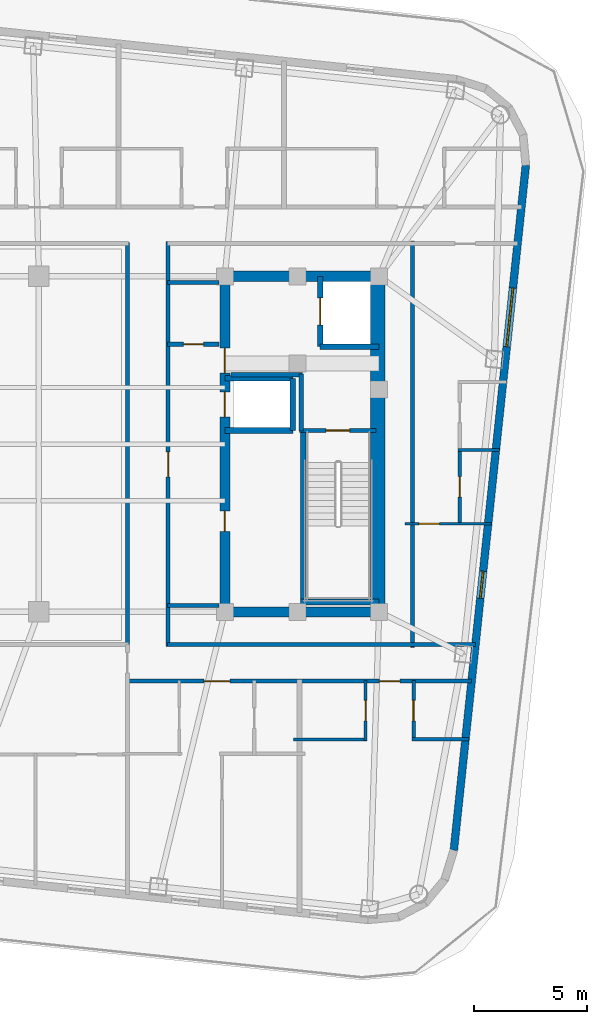
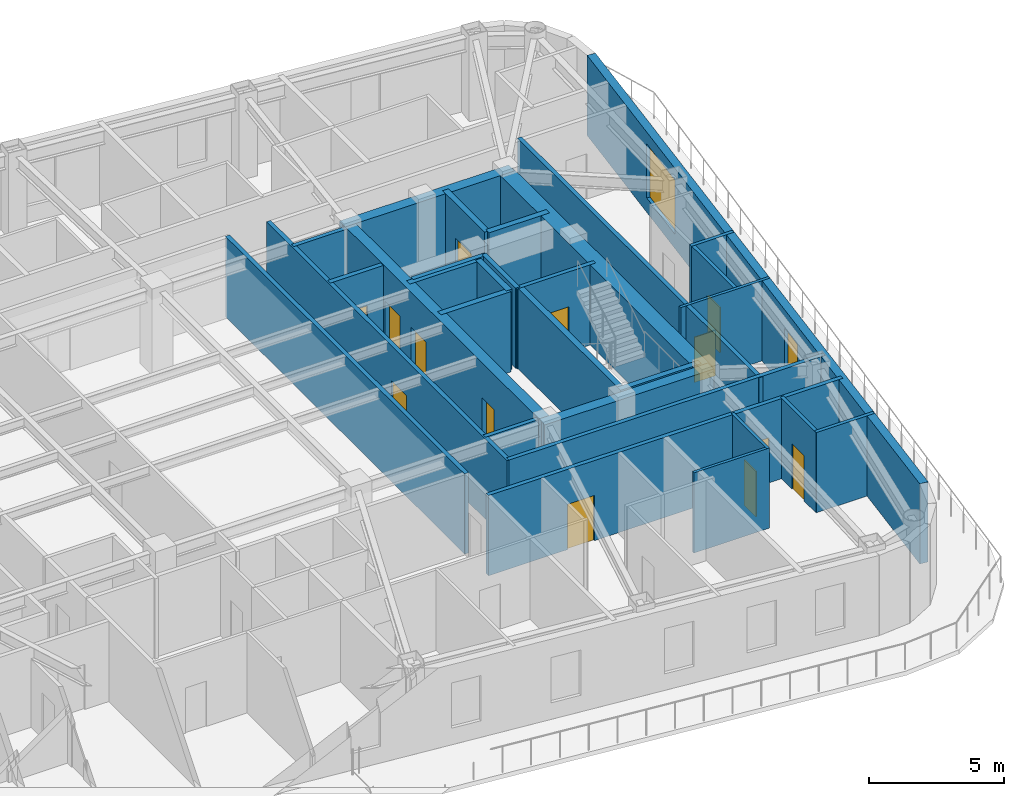
# One storey, part 6 of 14: 30 walls, 13 doors, 2 windows, 15 openings.
"""IFC4 building model written with IfcOpenShell, lengths in metres."""

import ifcopenshell
import ifcopenshell.guid

model = None  # the IFC model being written
_history = None  # IfcOwnerHistory: only IFC2X3 demands one
_inside = {}  # id of a spatial element -> (the spatial element, [elements in it])
_under = {}  # id of a project, library or spatial element -> (it, [spatial elements below it])
_declared = {}  # id of a project -> (the project, [libraries it declares])
_typed = {}  # id of a type object -> (the type object, [elements of that type])
_made_of = {}  # id of a material, layer set ... -> (it, [elements and type objects made of it])


def new_model(schema):
    """Start an empty IFC model of exactly this schema.

    Asked for "IFC4X3", IfcOpenShell would pick the latest addendum, in which some entities
    have other attributes; the version numbers below select the first issue.
    IFC2X3 requires an IfcOwnerHistory on every rooted entity: one is made here for all.
    """
    global model, _history
    if schema == "IFC4X3":
        model = ifcopenshell.file(schema_version=(4, 3, 0, 0))
    else:
        model = ifcopenshell.file(schema=schema)
    _inside.clear()
    _under.clear()
    _declared.clear()
    _typed.clear()
    _made_of.clear()
    _history = None
    if model.schema == "IFC2X3":
        org = make("IfcOrganization", Name="unknown")
        user = make(
            "IfcPersonAndOrganization",
            ThePerson=make("IfcPerson", FamilyName="unknown"),
            TheOrganization=org,
        )
        app = make(
            "IfcApplication",
            ApplicationDeveloper=org,
            Version="unknown",
            ApplicationFullName="unknown",
            ApplicationIdentifier="unknown",
        )
        _history = make(
            "IfcOwnerHistory",
            OwningUser=user,
            OwningApplication=app,
            ChangeAction="ADDED",
            CreationDate=0,
        )
    return model


def make(cls, **values):
    """One entity of the class cls with the attributes given. An attribute that is None is left unset."""
    return model.create_entity(
        cls, **{name: value for name, value in values.items() if value is not None}
    )


def rooted(cls, **values):
    """An entity with a GlobalId (a new one), such as an element, a storey or a relation."""
    return make(cls, GlobalId=ifcopenshell.guid.new(), OwnerHistory=_history, **values)


def si_unit(unit_type, name, prefix=None):
    """IfcSIUnit, for example si_unit("LENGTHUNIT", "METRE", prefix="MILLI")."""
    return make("IfcSIUnit", UnitType=unit_type, Prefix=prefix, Name=name)


def assignment(units):
    """IfcUnitAssignment: the units of a project."""
    return None if units is None else make("IfcUnitAssignment", Units=units)


def point(xyz):
    """IfcCartesianPoint."""
    return None if xyz is None else make("IfcCartesianPoint", Coordinates=xyz)


def direction(xyz):
    """IfcDirection."""
    return None if xyz is None else make("IfcDirection", DirectionRatios=xyz)


def frame(location, z_axis=None, x_axis=None):
    """IfcAxis2Placement3D, a coordinate frame: its origin and axes. An axis left out is left unset."""
    return make(
        "IfcAxis2Placement3D",
        Location=point(location),
        Axis=direction(z_axis),
        RefDirection=direction(x_axis),
    )


def frame_2d(location, x_axis=None):
    """IfcAxis2Placement2D, a coordinate frame in the plane: its origin and x axis."""
    return make(
        "IfcAxis2Placement2D", Location=point(location), RefDirection=direction(x_axis)
    )


def origin():
    """The frame at (0, 0, 0) with its axes left unset."""
    return frame((0.0, 0.0, 0.0))


def place(relative_to, where):
    """IfcLocalPlacement: puts the frame where relative to a parent placement (None: the world)."""
    return make(
        "IfcLocalPlacement", PlacementRelTo=relative_to, RelativePlacement=where
    )


def context(
    kind, dimensions, precision=None, world=None, true_north=None, identifier=None
):
    """IfcGeometricRepresentationContext, for example the 3D "Model" context."""
    return make(
        "IfcGeometricRepresentationContext",
        ContextIdentifier=identifier,
        ContextType=kind,
        CoordinateSpaceDimension=dimensions,
        Precision=precision,
        WorldCoordinateSystem=world,
        TrueNorth=true_north,
    )


def subcontext(parent, identifier, kind, view, scale=None):
    """IfcGeometricRepresentationSubContext, for example "Body" below "Model"."""
    return make(
        "IfcGeometricRepresentationSubContext",
        ContextIdentifier=identifier,
        ContextType=kind,
        ParentContext=parent,
        TargetScale=scale,
        TargetView=view,
    )


def project(units=None, contexts=None):
    """IfcProject with its units and contexts."""
    return rooted(
        "IfcProject",
        Name="project",
        RepresentationContexts=contexts,
        UnitsInContext=assignment(units),
    )


def spatial(cls, under=None, at=None, **own):
    """A site, building, storey or space (cls), placed at a placement, below another one or the project."""
    s = rooted(cls, ObjectPlacement=at, **own)
    if under is not None:
        _under.setdefault(under.id(), (under, []))[1].append(s)
    return s


def profile(cls, at=None, kind="AREA", **sizes):
    """A parametric profile (cls). Its sizes go by their IFC names, for example OverallWidth=200.0."""
    return make(cls, ProfileType=kind, Position=at, **sizes)


def rectangle(**sizes):
    """IfcRectangleProfileDef."""
    return profile("IfcRectangleProfileDef", **sizes)


def extrude(swept, where, along, depth):
    """IfcExtrudedAreaSolid: the profile swept, set in the frame where, extruded along a direction by depth."""
    return make(
        "IfcExtrudedAreaSolid",
        SweptArea=swept,
        Position=where,
        ExtrudedDirection=direction(along),
        Depth=depth,
    )


def shape(context_of_items, identifier, shape_type, items):
    """IfcShapeRepresentation: the items that make up one representation, for example the "Body"."""
    return make(
        "IfcShapeRepresentation",
        ContextOfItems=context_of_items,
        RepresentationIdentifier=identifier,
        RepresentationType=shape_type,
        Items=items,
    )


def material(Name=None, Category=None):
    """IfcMaterial."""
    return make("IfcMaterial", Name=Name, Category=Category)


def layer(
    of_material, thickness, ventilated=None, Name=None, Category=None, Priority=None
):
    """IfcMaterialLayer: one layer of a wall or slab, of a material (None: an air gap)."""
    return make(
        "IfcMaterialLayer",
        Material=of_material,
        LayerThickness=thickness,
        IsVentilated=ventilated,
        Name=Name,
        Category=Category,
        Priority=Priority,
    )


def layer_set(layers, Name=None):
    """IfcMaterialLayerSet."""
    return make("IfcMaterialLayerSet", MaterialLayers=layers, LayerSetName=Name)


def made_of(thing, what):
    """Note that an element or type object is made of a material, layer set ...; save() writes the relation."""
    if what is not None:
        _made_of.setdefault(what.id(), (what, []))[1].append(thing)
    return thing


def type_object(cls, material=None, **own):
    """A type object (cls), such as IfcWallType, which elements share."""
    return made_of(rooted(cls, **own), material)


def element(
    cls,
    number,
    at=None,
    inside=None,
    cuts=None,
    type_object=None,
    material=None,
    context=None,
    identifier="Body",
    shape_type=None,
    held_by="IfcProductDefinitionShape",
    body=None,
    shapes=None,
    **own,
):
    """One element of the class cls, such as IfcWall. Its Tag is "e" and its number.

    at: its placement. inside: the storey or other place that contains it. cuts: it is an
    opening in that element (IfcRelVoidsElement). A single representation is given by context,
    identifier, shape_type and body (its items); several are given by shapes. held_by: the class
    of the entity that holds the representations. save() writes the other relations.
    """
    e = rooted(cls, Tag="e%d" % number, ObjectPlacement=at, **own)
    if body is not None:
        shapes = [shape(context, identifier, shape_type, body)]
    if shapes is not None:
        e.Representation = make(held_by, Representations=shapes)
    if inside is not None:
        _inside.setdefault(inside.id(), (inside, []))[1].append(e)
    if cuts is not None:
        rooted(
            "IfcRelVoidsElement", RelatingBuildingElement=cuts, RelatedOpeningElement=e
        )
    if type_object is not None:
        _typed.setdefault(type_object.id(), (type_object, []))[1].append(e)
    return made_of(e, material)


def fill(opening, filler):
    """IfcRelFillsElement: the door or window that sits in an opening."""
    return rooted(
        "IfcRelFillsElement",
        RelatingOpeningElement=opening,
        RelatedBuildingElement=filler,
    )


def aggregate(whole, parts):
    """IfcRelAggregates: a whole, such as a stair, and the parts it consists of."""
    return rooted("IfcRelAggregates", RelatingObject=whole, RelatedObjects=parts)


def save(model, path):
    """Write the relations noted so far, then the file.

    IfcRelAggregates (storeys below a building ...), IfcRelContainedInSpatialStructure (elements
    in a storey), IfcRelDefinesByType, IfcRelAssociatesMaterial and IfcRelDeclares: one each for
    every whole, place, type object, material and project.
    """
    for whole, parts in _under.values():
        aggregate(whole, parts)
    for where, things in _inside.values():
        rooted(
            "IfcRelContainedInSpatialStructure",
            RelatedElements=things,
            RelatingStructure=where,
        )
    for kind, things in _typed.values():
        rooted("IfcRelDefinesByType", RelatedObjects=things, RelatingType=kind)
    for what, things in _made_of.values():
        rooted("IfcRelAssociatesMaterial", RelatedObjects=things, RelatingMaterial=what)
    for by, libraries in _declared.values():
        rooted("IfcRelDeclares", RelatingContext=by, RelatedDefinitions=libraries)
    model.write(path)


model = new_model("IFC4")

# Units and contexts
model_context = context("Model", 3, precision=1e-05, world=origin(), true_north=direction((0.0, 1.0)))
body_context = subcontext(model_context, "Body", "Model", "MODEL_VIEW")
ifc_project = project(units=[si_unit("LENGTHUNIT", "METRE"), si_unit("AREAUNIT", "SQUARE_METRE"), si_unit("VOLUMEUNIT", "CUBIC_METRE"), si_unit("PLANEANGLEUNIT", "RADIAN"), si_unit("MASSUNIT", "GRAM", prefix="KILO")], contexts=[model_context])

# Site, building, storey
site_placement = place(None, origin())
site = spatial("IfcSite", under=ifc_project, at=site_placement, CompositionType="ELEMENT")
building_placement = place(site_placement, origin())
building = spatial("IfcBuilding", under=site, at=building_placement, Name="Voryun Gate Residences", CompositionType="ELEMENT")
storey_placement = place(building_placement, frame((0.0, 0.0, 291.199951171875)))
storey = spatial("IfcBuildingStorey", under=building, at=storey_placement, Name="L72", CompositionType="ELEMENT", Elevation=291.199951171875)

# Walls
ifc_material_1 = material(Name="Concrete C50/60", Category="concrete")
ifc_layer_1 = layer(ifc_material_1, 0.449951171875, Name="CW_CORE_450")
ifc_layer_set_1 = layer_set([ifc_layer_1], Name="Concrete C50/60")
wall_type_1 = type_object("IfcWallType", Name="CW_CORE_450", PredefinedType="SHEAR", material=ifc_layer_set_1)
for number, where, z_axis, x_axis, name in (
    (1, (12.175048828125, -7.39990234375, 0.0), (0.0, 0.0, 1.0), (1.0, 0.0, 0.0), "L72 Core shear wall CW-L72-ES"),
    (2, (12.175048828125, 7.39990234375, 0.0), (0.0, 0.0, 1.0), (1.0, 0.0, 0.0), "L72 Core shear wall CW-L72-EN"),
):
    element("IfcWall", number, at=place(storey_placement, frame(where, z_axis=z_axis, x_axis=x_axis)), inside=storey, type_object=wall_type_1, Name=name, PredefinedType="SHEAR", context=body_context, shape_type="SweptSolid", body=[
        extrude(rectangle(XDim=7.25, YDim=0.449951171875, at=frame_2d((3.625, 0.0))), origin(), (0.0, 0.0, 1.0), 3.635009765625),
    ])

# Wall, openings, doors
wall_1_placement = place(storey_placement, frame((12.39990234375, -7.39990234375, 0.0), z_axis=(0.0, 0.0, 1.0), x_axis=(0.0, 1.0, 0.0)))
wall_1 = element("IfcWall", 3, at=wall_1_placement, inside=storey, type_object=wall_type_1, Name="L72 Core shear wall CW-L72-EW", PredefinedType="SHEAR", context=body_context, shape_type="SweptSolid", body=[
    extrude(rectangle(XDim=14.7998046875, YDim=0.449951171875, at=frame_2d((7.39990234375, 0.0))), origin(), (0.0, 0.0, 1.0), 3.635009765625),
])
opening_1_placement = place(wall_1_placement, frame((8.60009765625, 0.0, 0.0)))
opening_1 = element("IfcOpeningElement", 4, at=opening_1_placement, cuts=wall_1, Name="Opening LD2", PredefinedType="OPENING", context=body_context, shape_type="SweptSolid", body=[
    extrude(rectangle(XDim=1.10009765625, YDim=2.050048828125, at=frame_2d((0.550048828125, 1.02490234375))), frame((0.0, 0.235107421875, 0.0), z_axis=(0.0, -1.0, 0.0), x_axis=(1.0, 0.0, 0.0)), (0.0, 0.0, 1.0), 0.469970703125),
])
opening_2_placement = place(wall_1_placement, frame((10.530029296875, 0.0, 0.0)))
opening_2 = element("IfcOpeningElement", 5, at=opening_2_placement, cuts=wall_1, Name="Opening D-FD60-2", PredefinedType="OPENING", context=body_context, shape_type="SweptSolid", body=[
    extrude(rectangle(XDim=1.10009765625, YDim=2.050048828125, at=frame_2d((0.550048828125, 1.02490234375))), frame((0.0, 0.235107421875, 0.0), z_axis=(0.0, -1.0, 0.0), x_axis=(1.0, 0.0, 0.0)), (0.0, 0.0, 1.0), 0.469970703125),
])
opening_3_placement = place(wall_1_placement, frame((3.550048828125, 0.0, 0.0)))
opening_3 = element("IfcOpeningElement", 6, at=opening_3_placement, cuts=wall_1, Name="Opening D-FD60-4", PredefinedType="OPENING", context=body_context, shape_type="SweptSolid", body=[
    extrude(rectangle(XDim=0.89990234375, YDim=2.050048828125, at=frame_2d((0.449951171875, 1.02490234375))), frame((0.0, 0.235107421875, 0.0), z_axis=(0.0, -1.0, 0.0), x_axis=(1.0, 0.0, 0.0)), (0.0, 0.0, 1.0), 0.469970703125),
])
ifc_material_2 = material(Name="Painted steel fire door", Category="steel")
door_type_1 = type_object("IfcDoorType", Name="DR_FD60_FFLOB_1100", OperationType="NOTDEFINED", PredefinedType="DOOR", material=ifc_material_2)
door_1_placement = place(opening_2_placement, origin())
door_1 = element("IfcDoor", 7, at=door_1_placement, inside=storey, type_object=door_type_1, Name="Door DR-L72-CLOB-E", OperationType="SINGLE_SWING_RIGHT", OverallHeight=2.050048828125, OverallWidth=1.10009765625, PredefinedType="DOOR", context=body_context, shape_type="SweptSolid", body=[
    extrude(rectangle(XDim=1.10009765625, YDim=2.050048828125, at=frame_2d((0.550048828125, 1.02490234375))), frame((0.0, 0.02490234375, 0.0), z_axis=(0.0, -1.0, 0.0), x_axis=(1.0, 0.0, 0.0)), (0.0, 0.0, 1.0), 0.050048828125),
])
fill(opening_2, door_1)
ifc_material_3 = material(Name="Painted steel fire door", Category="steel")
door_type_2 = type_object("IfcDoorType", Name="DR_FD60_RISER_900", OperationType="NOTDEFINED", PredefinedType="DOOR", material=ifc_material_3)
door_2_placement = place(opening_3_placement, origin())
door_2 = element("IfcDoor", 8, at=door_2_placement, inside=storey, type_object=door_type_2, Name="Door DR-L72-RECE-HI", OperationType="SINGLE_SWING_RIGHT", OverallHeight=2.050048828125, OverallWidth=0.89990234375, PredefinedType="DOOR", context=body_context, shape_type="SweptSolid", body=[
    extrude(rectangle(XDim=0.89990234375, YDim=2.050048828125, at=frame_2d((0.449951171875, 1.02490234375))), frame((0.0, 0.02490234375, 0.0), z_axis=(0.0, -1.0, 0.0), x_axis=(1.0, 0.0, 0.0)), (0.0, 0.0, 1.0), 0.050048828125),
])
fill(opening_3, door_2)
ifc_material_4 = material(Name="Anodised aluminium", Category="aluminium")
door_type_3 = type_object("IfcDoorType", Name="DR_LD_PASS_1100", OperationType="NOTDEFINED", PredefinedType="DOOR", material=ifc_material_4)
door_3_placement = place(opening_1_placement, origin())
door_3 = element("IfcDoor", 9, at=door_3_placement, inside=storey, type_object=door_type_3, Name="Lift EL-P8 sliding landing door L72", OperationType="SLIDING_TO_LEFT", OverallHeight=2.050048828125, OverallWidth=1.10009765625, PredefinedType="DOOR", context=body_context, shape_type="SweptSolid", body=[
    extrude(rectangle(XDim=1.10009765625, YDim=2.050048828125, at=frame_2d((0.550048828125, 1.02490234375))), frame((0.0, 0.02490234375, 0.0), z_axis=(0.0, -1.0, 0.0), x_axis=(1.0, 0.0, 0.0)), (0.0, 0.0, 1.0), 0.050048828125),
])
fill(opening_1, door_3)

# Wall
ifc_material_5 = material(Name="Concrete C60/75", Category="concrete")
ifc_layer_2 = layer(ifc_material_5, 0.64990234375, Name="CW_CORE_650")
ifc_layer_set_2 = layer_set([ifc_layer_2], Name="Concrete C60/75")
wall_type_2 = type_object("IfcWallType", Name="CW_CORE_650", PredefinedType="SHEAR", material=ifc_layer_set_2)
wall_2_placement = place(storey_placement, frame((19.14501953125, -7.39990234375, 0.0), z_axis=(0.0, 0.0, 1.0), x_axis=(0.0, 1.0, 0.0)))
element("IfcWall", 10, at=wall_2_placement, inside=storey, type_object=wall_type_2, Name="L72 Core shear wall CW-L72-EE", PredefinedType="SHEAR", context=body_context, shape_type="SweptSolid", body=[
    extrude(rectangle(XDim=14.7998046875, YDim=0.64990234375, at=frame_2d((7.39990234375, 0.0))), origin(), (0.0, 0.0, 1.0), 3.635009765625),
])

# Wall, opening, door
ifc_material_6 = material(Name="Gypsum acoustic fireboard")
ifc_layer_3 = layer(ifc_material_6, 0.179931640625, Name="W_CORR_RATED_180")
ifc_layer_set_3 = layer_set([ifc_layer_3], Name="Gypsum acoustic fireboard")
wall_type_3 = type_object("IfcWallType", Name="W_CORR_RATED_180", PredefinedType="PARTITIONING", material=ifc_layer_set_3)
wall_3_placement = place(storey_placement, frame((15.699951171875, 0.60009765625, 0.0), z_axis=(0.0, 0.0, 1.0), x_axis=(1.0, 0.0, 0.0)))
wall_3 = element("IfcWall", 11, at=wall_3_placement, inside=storey, type_object=wall_type_3, Name="Partition wall WP-L72-STV-E", PredefinedType="PARTITIONING", context=body_context, shape_type="SweptSolid", body=[
    extrude(rectangle(XDim=3.360107421875, YDim=0.179931640625, at=frame_2d((1.68017578125, 0.0))), origin(), (0.0, 0.0, 1.0), 3.635009765625),
])
opening_4_placement = place(wall_3_placement, frame((1.155029296875, 0.0, 0.0)))
opening_4 = element("IfcOpeningElement", 12, at=opening_4_placement, cuts=wall_3, Name="Opening D-FD60-1", PredefinedType="OPENING", context=body_context, shape_type="SweptSolid", body=[
    extrude(rectangle(XDim=1.050048828125, YDim=2.050048828125, at=frame_2d((0.52490234375, 1.02490234375))), frame((0.0, 0.099853515625, 0.0), z_axis=(0.0, -1.0, 0.0), x_axis=(1.0, 0.0, 0.0)), (0.0, 0.0, 1.0), 0.199951171875),
])
ifc_material_7 = material(Name="Painted steel fire door", Category="steel")
door_type_4 = type_object("IfcDoorType", Name="DR_FD60_STAIR_1050", OperationType="NOTDEFINED", PredefinedType="DOOR", material=ifc_material_7)
door_4_placement = place(opening_4_placement, origin())
door_4 = element("IfcDoor", 13, at=door_4_placement, inside=storey, type_object=door_type_4, Name="Door DR-L72-ST-E", OperationType="SINGLE_SWING_RIGHT", OverallHeight=2.050048828125, OverallWidth=1.050048828125, PredefinedType="DOOR", context=body_context, shape_type="SweptSolid", body=[
    extrude(rectangle(XDim=1.050048828125, YDim=2.050048828125, at=frame_2d((0.52490234375, 1.02490234375))), frame((0.0, 0.02490234375, 0.0), z_axis=(0.0, -1.0, 0.0), x_axis=(1.0, 0.0, 0.0)), (0.0, 0.0, 1.0), 0.050048828125),
])
fill(opening_4, door_4)

# Walls
for number, where, z_axis, x_axis, name in (
    (14, (9.8798828125, 7.1201171875, 0.0), (0.0, 0.0, 1.0), (1.0, 0.0, 0.0), "Partition wall WP-L72-PLBN-E"),
    (15, (9.8798828125, -7.1201171875, 0.0), (0.0, 0.0, 1.0), (1.0, 0.0, 0.0), "Partition wall WP-L72-PLBS-E"),
):
    element("IfcWall", number, at=place(storey_placement, frame(where, z_axis=z_axis, x_axis=x_axis)), inside=storey, type_object=wall_type_3, Name=name, PredefinedType="PARTITIONING", context=body_context, shape_type="SweptSolid", body=[
        extrude(rectangle(XDim=2.27001953125, YDim=0.179931640625, at=frame_2d((1.135009765625, 0.0))), origin(), (0.0, 0.0, 1.0), 3.635009765625),
    ])

# Wall, opening, door
wall_4_placement = place(storey_placement, frame((9.89990234375, -8.929931640625, 0.0), z_axis=(0.0, 0.0, 1.0), x_axis=(0.0, 1.0, 0.0)))
wall_4 = element("IfcWall", 16, at=wall_4_placement, inside=storey, type_object=wall_type_3, Name="Partition wall WP-L72-PLBE-FULL", PredefinedType="PARTITIONING", context=body_context, shape_type="SweptSolid", body=[
    extrude(rectangle(XDim=17.85986328125, YDim=0.179931640625, at=frame_2d((8.929931640625, 0.0))), origin(), (0.0, 0.0, 1.0), 3.635009765625),
])
opening_5_placement = place(wall_4_placement, frame((7.487060546875, 0.0, 0.0)))
opening_5 = element("IfcOpeningElement", 17, at=opening_5_placement, cuts=wall_4, Name="Opening D-FD60-2", PredefinedType="OPENING", context=body_context, shape_type="SweptSolid", body=[
    extrude(rectangle(XDim=1.10009765625, YDim=2.050048828125, at=frame_2d((0.550048828125, 1.02490234375))), frame((0.0, 0.099853515625, 0.0), z_axis=(0.0, -1.0, 0.0), x_axis=(1.0, 0.0, 0.0)), (0.0, 0.0, 1.0), 0.199951171875),
])
door_5_placement = place(opening_5_placement, origin())
door_5 = element("IfcDoor", 18, at=door_5_placement, inside=storey, type_object=door_type_1, Name="Door DR-L72-PLBE-COR", OperationType="SINGLE_SWING_RIGHT", OverallHeight=2.050048828125, OverallWidth=1.10009765625, PredefinedType="DOOR", context=body_context, shape_type="SweptSolid", body=[
    extrude(rectangle(XDim=1.10009765625, YDim=2.050048828125, at=frame_2d((0.550048828125, 1.02490234375))), frame((0.0, 0.02490234375, 0.0), z_axis=(0.0, -1.0, 0.0), x_axis=(1.0, 0.0, 0.0)), (0.0, 0.0, 1.0), 0.050048828125),
])
fill(opening_5, door_5)

# Walls
wall_5_placement = place(storey_placement, frame((9.8798828125, -8.840087890625, 0.0), z_axis=(0.0, 0.0, 1.0), x_axis=(1.0, 0.0, 0.0)))
element("IfcWall", 19, at=wall_5_placement, inside=storey, type_object=wall_type_3, Name="Partition wall WP-L72-CWING-ES", PredefinedType="PARTITIONING", context=body_context, shape_type="SweptSolid", body=[
    extrude(rectangle(XDim=13.56884765625, YDim=0.179931640625, at=frame_2d((6.784423828125, 0.0))), origin(), (0.0, 0.0, 1.0), 3.635009765625),
])
wall_6_placement = place(storey_placement, frame((8.10009765625, -8.8798828125, 0.0), z_axis=(0.0, 0.0, 1.0), x_axis=(0.0, 1.0, 0.0)))
element("IfcWall", 20, at=wall_6_placement, inside=storey, type_object=wall_type_3, Name="Partition wall WP-L72-Z3E", PredefinedType="PARTITIONING", context=body_context, shape_type="SweptSolid", body=[
    extrude(rectangle(XDim=17.759765625, YDim=0.179931640625, at=frame_2d((8.8798828125, 0.0))), origin(), (0.0, 0.0, 1.0), 3.635009765625),
])

# Wall, openings, doors
wall_7_placement = place(storey_placement, frame((8.080078125, -10.449951171875, 0.0), z_axis=(0.0, 0.0, 1.0), x_axis=(1.0, 0.0, 0.0)))
wall_7 = element("IfcWall", 21, at=wall_7_placement, inside=storey, type_object=wall_type_3, Name="Partition wall WP-L72-SCORR-E", PredefinedType="PARTITIONING", context=body_context, shape_type="SweptSolid", body=[
    extrude(rectangle(XDim=15.19921875, YDim=0.179931640625, at=frame_2d((7.599609375, 0.0))), origin(), (0.0, 0.0, 1.0), 3.635009765625),
])
opening_6_placement = place(wall_7_placement, frame((3.390380859375, 0.0, 0.0)))
opening_6 = element("IfcOpeningElement", 22, at=opening_6_placement, cuts=wall_7, Name="Opening D-UNIT-1", PredefinedType="OPENING", context=body_context, shape_type="SweptSolid", body=[
    extrude(rectangle(XDim=1.14990234375, YDim=2.050048828125, at=frame_2d((0.574951171875, 1.02490234375))), frame((0.0, 0.099853515625, 0.0), z_axis=(0.0, -1.0, 0.0), x_axis=(1.0, 0.0, 0.0)), (0.0, 0.0, 1.0), 0.199951171875),
])
opening_7_placement = place(wall_7_placement, frame((11.133544921875, 0.0, 0.0)))
opening_7 = element("IfcOpeningElement", 23, at=opening_7_placement, cuts=wall_7, Name="Opening D-INT-2", PredefinedType="OPENING", context=body_context, shape_type="SweptSolid", body=[
    extrude(rectangle(XDim=0.89990234375, YDim=2.050048828125, at=frame_2d((0.449951171875, 1.02490234375))), frame((0.0, 0.099853515625, 0.0), z_axis=(0.0, -1.0, 0.0), x_axis=(1.0, 0.0, 0.0)), (0.0, 0.0, 1.0), 0.199951171875),
])
ifc_material_8 = material(Name="Architectural oak veneer")
door_type_5 = type_object("IfcDoorType", Name="DR_INT_BATH_900", OperationType="NOTDEFINED", PredefinedType="DOOR", material=ifc_material_8)
door_6_placement = place(opening_7_placement, origin())
door_6 = element("IfcDoor", 24, at=door_6_placement, inside=storey, type_object=door_type_5, Name="Door DR-L72-SENT-7", OperationType="SINGLE_SWING_RIGHT", OverallHeight=2.050048828125, OverallWidth=0.89990234375, PredefinedType="DOOR", context=body_context, shape_type="SweptSolid", body=[
    extrude(rectangle(XDim=0.89990234375, YDim=2.050048828125, at=frame_2d((0.449951171875, 1.02490234375))), frame((0.0, 0.02490234375, 0.0), z_axis=(0.0, -1.0, 0.0), x_axis=(1.0, 0.0, 0.0)), (0.0, 0.0, 1.0), 0.050048828125),
])
fill(opening_7, door_6)
ifc_material_9 = material(Name="Armoured timber-clad fire door", Category="wood")
door_type_6 = type_object("IfcDoorType", Name="DR_UNIT_ENTRY_1150", OperationType="NOTDEFINED", PredefinedType="DOOR", material=ifc_material_9)
door_7_placement = place(opening_6_placement, origin())
door_7 = element("IfcDoor", 25, at=door_7_placement, inside=storey, type_object=door_type_6, Name="Door DR-L72-SENT-6", OperationType="SINGLE_SWING_LEFT", OverallHeight=2.050048828125, OverallWidth=1.14990234375, PredefinedType="DOOR", context=body_context, shape_type="SweptSolid", body=[
    extrude(rectangle(XDim=1.14990234375, YDim=2.050048828125, at=frame_2d((0.574951171875, 1.02490234375))), frame((0.0, 0.02490234375, 0.0), z_axis=(0.0, -1.0, 0.0), x_axis=(1.0, 0.0, 0.0)), (0.0, 0.0, 1.0), 0.050048828125),
])
fill(opening_6, door_7)

# Wall
wall_8_placement = place(storey_placement, frame((20.669921875, -8.9599609375, 0.0), z_axis=(0.0, 0.0, 1.0), x_axis=(0.0, 1.0, 0.0)))
element("IfcWall", 26, at=wall_8_placement, inside=storey, type_object=wall_type_3, Name="Partition wall WP-L72-ECOR", PredefinedType="PARTITIONING", context=body_context, shape_type="SweptSolid", body=[
    extrude(rectangle(XDim=17.919921875, YDim=0.179931640625, at=frame_2d((8.9599609375, 0.0))), origin(), (0.0, 0.0, 1.0), 3.635009765625),
])

# Wall, openings, windows
ifc_material_10 = material(Name="Charcoal terracotta masonry", Category="masonry")
ifc_layer_4 = layer(ifc_material_10, 0.340087890625, Name="W_EXT_TERRACOTTA_340")
ifc_layer_set_4 = layer_set([ifc_layer_4], Name="Charcoal terracotta masonry")
wall_type_4 = type_object("IfcWallType", Name="W_EXT_TERRACOTTA_340", PredefinedType="ELEMENTEDWALL", material=ifc_layer_set_4)
wall_9_placement = place(storey_placement, frame((25.670166015625, 12.295654296875, 0.0), z_axis=(0.0, 0.0, 1.0), x_axis=(-0.104533282919, -0.994521388791, 0.0)))
wall_9 = element("IfcWall", 27, at=wall_9_placement, inside=storey, type_object=wall_type_4, Name="Exterior wall WEXT-L72-16", PredefinedType="ELEMENTEDWALL", context=body_context, shape_type="SweptSolid", body=[
    extrude(rectangle(XDim=30.366455078125, YDim=0.340087890625, at=frame_2d((15.18310546875, 0.0))), origin(), (0.0, 0.0, 1.0), 3.635009765625),
])
opening_8_placement = place(wall_9_placement, frame((5.441650390625, 0.0, 0.64990234375)))
opening_8 = element("IfcOpeningElement", 28, at=opening_8_placement, cuts=wall_9, Name="Opening WN4", PredefinedType="OPENING", context=body_context, shape_type="SweptSolid", body=[
    extrude(rectangle(XDim=2.60009765625, YDim=2.449951171875, at=frame_2d((1.300048828125, 1.22509765625))), frame((0.0, 0.179931640625, 0.0), z_axis=(0.0, -1.0, 0.0), x_axis=(1.0, 0.0, 0.0)), (0.0, 0.0, 1.0), 0.360107421875),
])
opening_9_placement = place(wall_9_placement, frame((18.0048828125, 0.0, 0.75)))
opening_9 = element("IfcOpeningElement", 29, at=opening_9_placement, cuts=wall_9, Name="Opening WN6", PredefinedType="OPENING", context=body_context, shape_type="SweptSolid", body=[
    extrude(rectangle(XDim=1.199951171875, YDim=2.050048828125, at=frame_2d((0.60009765625, 1.02490234375))), frame((0.0, 0.179931640625, 0.0), z_axis=(0.0, -1.0, 0.0), x_axis=(1.0, 0.0, 0.0)), (0.0, 0.0, 1.0), 0.360107421875),
])
ifc_material_11 = material(Name="Laminated low-E glass", Category="glass")
window_type_1 = type_object("IfcWindowType", Name="WN_PENT_TALL_2600", PartitioningType="SINGLE_PANEL", PredefinedType="WINDOW", material=ifc_material_11)
window_1_placement = place(opening_8_placement, origin())
window_1 = element("IfcWindow", 30, at=window_1_placement, inside=storey, type_object=window_type_1, Name="Window WN-WEXT-L72-16-01", OverallHeight=2.449951171875, OverallWidth=2.60009765625, PartitioningType="SINGLE_PANEL", PredefinedType="WINDOW", context=body_context, shape_type="SweptSolid", body=[
    extrude(rectangle(XDim=2.60009765625, YDim=2.449951171875, at=frame_2d((1.300048828125, 1.22509765625))), frame((0.0, 0.030029296875, 0.0), z_axis=(0.0, -1.0, 0.0), x_axis=(1.0, 0.0, 0.0)), (0.0, 0.0, 1.0), 0.06005859375),
])
fill(opening_8, window_1)
ifc_material_12 = material(Name="Laminated low-E glass", Category="glass")
window_type_2 = type_object("IfcWindowType", Name="WN_POD_SLOT_1200", PartitioningType="SINGLE_PANEL", PredefinedType="WINDOW", material=ifc_material_12)
window_2_placement = place(opening_9_placement, origin())
window_2 = element("IfcWindow", 31, at=window_2_placement, inside=storey, type_object=window_type_2, Name="Window WN-L72-DWFIX-20", OverallHeight=2.050048828125, OverallWidth=1.199951171875, PartitioningType="SINGLE_PANEL", PredefinedType="WINDOW", context=body_context, shape_type="SweptSolid", body=[
    extrude(rectangle(XDim=1.199951171875, YDim=2.050048828125, at=frame_2d((0.60009765625, 1.02490234375))), frame((0.0, 0.030029296875, 0.0), z_axis=(0.0, -1.0, 0.0), x_axis=(1.0, 0.0, 0.0)), (0.0, 0.0, 1.0), 0.06005859375),
])
fill(opening_9, window_2)

# Walls
ifc_material_13 = material(Name="Concrete C40/50", Category="concrete")
ifc_layer_5 = layer(ifc_material_13, 0.199951171875, Name="W_FF_LOBBY_200")
ifc_layer_set_5 = layer_set([ifc_layer_5], Name="Concrete C40/50")
wall_type_5 = type_object("IfcWallType", Name="W_FF_LOBBY_200", PredefinedType="PARTITIONING", material=ifc_layer_set_5)
wall_10_placement = place(storey_placement, frame((15.760009765625, 0.580078125, 0.0), z_axis=(0.0, 0.0, 1.0), x_axis=(0.0, 1.0, 0.0)))
element("IfcWall", 32, at=wall_10_placement, inside=storey, type_object=wall_type_5, Name="Partition wall WP-L72-FFP0-E", PredefinedType="PARTITIONING", context=body_context, shape_type="SweptSolid", body=[
    extrude(rectangle(XDim=2.52001953125, YDim=0.199951171875, at=frame_2d((1.260009765625, 0.0))), origin(), (0.0, 0.0, 1.0), 3.635009765625),
])
wall_11_placement = place(storey_placement, frame((12.659912109375, 3.06005859375, 0.0), z_axis=(0.0, 0.0, 1.0), x_axis=(1.0, 0.0, 0.0)))
element("IfcWall", 33, at=wall_11_placement, inside=storey, type_object=wall_type_5, Name="Partition wall WP-L72-FFPS-E", PredefinedType="PARTITIONING", context=body_context, shape_type="SweptSolid", body=[
    extrude(rectangle(XDim=3.16015625, YDim=0.199951171875, at=frame_2d((1.580078125, 0.0))), origin(), (0.0, 0.0, 1.0), 3.635009765625),
])

# Wall, opening, door
wall_12_placement = place(storey_placement, frame((9.8798828125, 4.409912109375, 0.0), z_axis=(0.0, 0.0, 1.0), x_axis=(1.0, 0.0, 0.0)))
wall_12 = element("IfcWall", 34, at=wall_12_placement, inside=storey, type_object=wall_type_5, Name="Partition wall WP-L72-CSFLKS-E", PredefinedType="PARTITIONING", context=body_context, shape_type="SweptSolid", body=[
    extrude(rectangle(XDim=2.27001953125, YDim=0.199951171875, at=frame_2d((1.135009765625, 0.0))), origin(), (0.0, 0.0, 1.0), 3.635009765625),
])
opening_10_placement = place(wall_12_placement, frame((0.68505859375, 0.0, 0.0)))
opening_10 = element("IfcOpeningElement", 35, at=opening_10_placement, cuts=wall_12, Name="Opening D-FD60-4", PredefinedType="OPENING", context=body_context, shape_type="SweptSolid", body=[
    extrude(rectangle(XDim=0.89990234375, YDim=2.050048828125, at=frame_2d((0.449951171875, 1.02490234375))), frame((0.0, 0.110107421875, 0.0), z_axis=(0.0, -1.0, 0.0), x_axis=(1.0, 0.0, 0.0)), (0.0, 0.0, 1.0), 0.219970703125),
])
door_8_placement = place(opening_10_placement, origin())
door_8 = element("IfcDoor", 36, at=door_8_placement, inside=storey, type_object=door_type_2, Name="Door DR-L72-CSFLK-E", OperationType="SINGLE_SWING_RIGHT", OverallHeight=2.050048828125, OverallWidth=0.89990234375, PredefinedType="DOOR", context=body_context, shape_type="SweptSolid", body=[
    extrude(rectangle(XDim=0.89990234375, YDim=2.050048828125, at=frame_2d((0.449951171875, 1.02490234375))), frame((0.0, 0.02490234375, 0.0), z_axis=(0.0, -1.0, 0.0), x_axis=(1.0, 0.0, 0.0)), (0.0, 0.0, 1.0), 0.050048828125),
])
fill(opening_10, door_8)

# Walls
ifc_material_14 = material(Name="Concrete C50/60", Category="concrete")
ifc_layer_6 = layer(ifc_material_14, 0.25, Name="W_SHAFT_RC250")
ifc_layer_set_6 = layer_set([ifc_layer_6], Name="Concrete C50/60")
wall_type_6 = type_object("IfcWallType", Name="W_SHAFT_RC250", PredefinedType="SOLIDWALL", material=ifc_layer_set_6)
wall_13_placement = place(storey_placement, frame((15.860107421875, -7.0849609375, 0.0), z_axis=(0.0, 0.0, 1.0), x_axis=(0.0, 1.0, 0.0)))
element("IfcWall", 37, at=wall_13_placement, inside=storey, type_object=wall_type_6, Name="L72 Stair shaft structural wall E-STL", PredefinedType="SOLIDWALL", context=body_context, shape_type="SweptSolid", body=[
    extrude(rectangle(XDim=7.68505859375, YDim=0.25, at=frame_2d((3.842529296875, 0.0))), origin(), (0.0, 0.0, 1.0), 3.635009765625),
])
wall_14_placement = place(storey_placement, frame((15.739990234375, -6.965087890625, 0.0), z_axis=(0.0, 0.0, 1.0), x_axis=(1.0, 0.0, 0.0)))
element("IfcWall", 38, at=wall_14_placement, inside=storey, type_object=wall_type_6, Name="L72 Stair shaft structural wall E-STS", PredefinedType="SOLIDWALL", context=body_context, shape_type="SweptSolid", body=[
    extrude(rectangle(XDim=3.4599609375, YDim=0.25, at=frame_2d((1.72998046875, 0.0))), origin(), (0.0, 0.0, 1.0), 3.635009765625),
])
wall_15_placement = place(storey_placement, frame((16.60009765625, 4.300048828125, 0.0), z_axis=(0.0, 0.0, 1.0), x_axis=(1.0, 0.0, 0.0)))
element("IfcWall", 39, at=wall_15_placement, inside=storey, type_object=wall_type_6, Name="Lift shaft wall WSH-L72-EL-FF-E1-S", PredefinedType="SOLIDWALL", context=body_context, shape_type="SweptSolid", body=[
    extrude(rectangle(XDim=2.599853515625, YDim=0.25, at=frame_2d((1.2998046875, 0.0))), origin(), (0.0, 0.0, 1.0), 3.635009765625),
])

# Wall, opening, door
wall_16_placement = place(storey_placement, frame((16.60009765625, 7.39990234375, 0.0), z_axis=(0.0, 0.0, 1.0), x_axis=(0.0, -1.0, 0.0)))
wall_16 = element("IfcWall", 40, at=wall_16_placement, inside=storey, type_object=wall_type_6, Name="Lift shaft wall WSH-L72-EL-FF-E1-W", PredefinedType="SOLIDWALL", context=body_context, shape_type="SweptSolid", body=[
    extrude(rectangle(XDim=3.099853515625, YDim=0.25, at=frame_2d((1.5498046875, 0.0))), origin(), (0.0, 0.0, 1.0), 3.635009765625),
])
opening_11_placement = place(wall_16_placement, frame((0.949951171875, 0.0, 0.0)))
opening_11 = element("IfcOpeningElement", 41, at=opening_11_placement, cuts=wall_16, Name="Opening LD1", PredefinedType="OPENING", context=body_context, shape_type="SweptSolid", body=[
    extrude(rectangle(XDim=1.199951171875, YDim=2.050048828125, at=frame_2d((0.60009765625, 1.02490234375))), frame((0.0, 0.135009765625, 0.0), z_axis=(0.0, -1.0, 0.0), x_axis=(1.0, 0.0, 0.0)), (0.0, 0.0, 1.0), 0.27001953125),
])
ifc_material_15 = material(Name="Anodised aluminium", Category="aluminium")
door_type_7 = type_object("IfcDoorType", Name="DR_LD_FF_1200", OperationType="NOTDEFINED", PredefinedType="DOOR", material=ifc_material_15)
door_9_placement = place(opening_11_placement, origin())
door_9 = element("IfcDoor", 42, at=door_9_placement, inside=storey, type_object=door_type_7, Name="Lift EL-FF-E1 sliding landing door L72", OperationType="SLIDING_TO_LEFT", OverallHeight=2.050048828125, OverallWidth=1.199951171875, PredefinedType="DOOR", context=body_context, shape_type="SweptSolid", body=[
    extrude(rectangle(XDim=1.199951171875, YDim=2.050048828125, at=frame_2d((0.60009765625, 1.02490234375))), frame((0.0, 0.02490234375, 0.0), z_axis=(0.0, -1.0, 0.0), x_axis=(1.0, 0.0, 0.0)), (0.0, 0.0, 1.0), 0.050048828125),
])
fill(opening_11, door_9)

# Walls
wall_17_placement = place(storey_placement, frame((12.39990234375, 0.60009765625, 0.0), z_axis=(0.0, 0.0, 1.0), x_axis=(1.0, 0.0, 0.0)))
element("IfcWall", 43, at=wall_17_placement, inside=storey, type_object=wall_type_6, Name="Lift shaft wall WSH-L72-EL-P8-S", PredefinedType="SOLIDWALL", context=body_context, shape_type="SweptSolid", body=[
    extrude(rectangle(XDim=3.0, YDim=0.25, at=frame_2d((1.5, 0.0))), origin(), (0.0, 0.0, 1.0), 3.635009765625),
])
wall_18_placement = place(storey_placement, frame((15.39990234375, 0.60009765625, 0.0), z_axis=(0.0, 0.0, 1.0), x_axis=(0.0, 1.0, 0.0)))
element("IfcWall", 44, at=wall_18_placement, inside=storey, type_object=wall_type_6, Name="Lift shaft wall WSH-L72-EL-P8-E", PredefinedType="SOLIDWALL", context=body_context, shape_type="SweptSolid", body=[
    extrude(rectangle(XDim=2.2998046875, YDim=0.25, at=frame_2d((1.14990234375, 0.0))), origin(), (0.0, 0.0, 1.0), 3.635009765625),
])
wall_19_placement = place(storey_placement, frame((15.39990234375, 2.89990234375, 0.0), z_axis=(0.0, 0.0, 1.0), x_axis=(-1.0, 0.0, 0.0)))
element("IfcWall", 45, at=wall_19_placement, inside=storey, type_object=wall_type_6, Name="Lift shaft wall WSH-L72-EL-P8-N", PredefinedType="SOLIDWALL", context=body_context, shape_type="SweptSolid", body=[
    extrude(rectangle(XDim=3.0, YDim=0.25, at=frame_2d((1.5, 0.0))), origin(), (0.0, 0.0, 1.0), 3.635009765625),
])

# Wall, opening, door
ifc_material_16 = material(Name="Gypsum acoustic partition")
ifc_layer_7 = layer(ifc_material_16, 0.125, Name="W_UNIT_PART_125")
ifc_layer_set_7 = layer_set([ifc_layer_7], Name="Gypsum acoustic partition")
wall_type_7 = type_object("IfcWallType", Name="W_UNIT_PART_125", PredefinedType="PARTITIONING", material=ifc_layer_set_7)
wall_20_placement = place(storey_placement, frame((18.60791015625, -13.080078125, 0.0), z_axis=(0.0, 0.0, 1.0), x_axis=(0.0, 1.0, 0.0)))
wall_20 = element("IfcWall", 46, at=wall_20_placement, inside=storey, type_object=wall_type_7, Name="Partition wall WP-L72-S7-CVK", PredefinedType="PARTITIONING", context=body_context, shape_type="SweptSolid", body=[
    extrude(rectangle(XDim=2.650146484375, YDim=0.125, at=frame_2d((1.3251953125, 0.0))), origin(), (0.0, 0.0, 1.0), 3.635009765625),
])
opening_12_placement = place(wall_20_placement, frame((0.875, 0.0, 0.0)))
opening_12 = element("IfcOpeningElement", 47, at=opening_12_placement, cuts=wall_20, Name="Opening D-INT-2", PredefinedType="OPENING", context=body_context, shape_type="SweptSolid", body=[
    extrude(rectangle(XDim=0.89990234375, YDim=2.050048828125, at=frame_2d((0.449951171875, 1.02490234375))), frame((0.0, 0.072509765625, 0.0), z_axis=(0.0, -1.0, 0.0), x_axis=(1.0, 0.0, 0.0)), (0.0, 0.0, 1.0), 0.14501953125),
])
door_10_placement = place(opening_12_placement, origin())
door_10 = element("IfcDoor", 48, at=door_10_placement, inside=storey, type_object=door_type_5, Name="Door DR-L72-S7-DK", OperationType="SINGLE_SWING_LEFT", OverallHeight=2.050048828125, OverallWidth=0.89990234375, PredefinedType="DOOR", context=body_context, shape_type="SweptSolid", body=[
    extrude(rectangle(XDim=0.89990234375, YDim=2.050048828125, at=frame_2d((0.449951171875, 1.02490234375))), frame((0.0, 0.02490234375, 0.0), z_axis=(0.0, -1.0, 0.0), x_axis=(1.0, 0.0, 0.0)), (0.0, 0.0, 1.0), 0.050048828125),
])
fill(opening_12, door_10)

# Wall
wall_21_placement = place(storey_placement, frame((15.422119140625, -13.02001953125, 0.0), z_axis=(0.0, 0.0, 1.0), x_axis=(1.0, 0.0, 0.0)))
element("IfcWall", 49, at=wall_21_placement, inside=storey, type_object=wall_type_7, Name="Partition wall WP-L72-S7-CHK", PredefinedType="PARTITIONING", context=body_context, shape_type="SweptSolid", body=[
    extrude(rectangle(XDim=3.245849609375, YDim=0.125, at=frame_2d((1.623046875, 0.0))), origin(), (0.0, 0.0, 1.0), 3.635009765625),
])

# Wall, opening, door
wall_22_placement = place(storey_placement, frame((20.35009765625, -3.510009765625, 0.0), z_axis=(0.0, 0.0, 1.0), x_axis=(1.0, 0.0, 0.0)))
wall_22 = element("IfcWall", 50, at=wall_22_placement, inside=storey, type_object=wall_type_7, Name="Partition wall WP-L72-E1-HZ3", PredefinedType="PARTITIONING", context=body_context, shape_type="SweptSolid", body=[
    extrude(rectangle(XDim=3.8095703125, YDim=0.125, at=frame_2d((1.90478515625, 0.0))), origin(), (0.0, 0.0, 1.0), 3.635009765625),
])
opening_13_placement = place(wall_22_placement, frame((0.608154296875, 0.0, 0.0)))
opening_13 = element("IfcOpeningElement", 51, at=opening_13_placement, cuts=wall_22, Name="Opening D-INT-2", PredefinedType="OPENING", context=body_context, shape_type="SweptSolid", body=[
    extrude(rectangle(XDim=0.89990234375, YDim=2.050048828125, at=frame_2d((0.449951171875, 1.02490234375))), frame((0.0, 0.072509765625, 0.0), z_axis=(0.0, -1.0, 0.0), x_axis=(1.0, 0.0, 0.0)), (0.0, 0.0, 1.0), 0.14501953125),
])
door_11_placement = place(opening_13_placement, origin())
door_11 = element("IfcDoor", 52, at=door_11_placement, inside=storey, type_object=door_type_5, Name="Door DR-L72-E1-DMB", OperationType="SINGLE_SWING_LEFT", OverallHeight=2.050048828125, OverallWidth=0.89990234375, PredefinedType="DOOR", context=body_context, shape_type="SweptSolid", body=[
    extrude(rectangle(XDim=0.89990234375, YDim=2.050048828125, at=frame_2d((0.449951171875, 1.02490234375))), frame((0.0, 0.02490234375, 0.0), z_axis=(0.0, -1.0, 0.0), x_axis=(1.0, 0.0, 0.0)), (0.0, 0.0, 1.0), 0.050048828125),
])
fill(opening_13, door_11)

ifc_material_17 = material(Name="Gypsum moisture-resistant partition")
ifc_layer_8 = layer(ifc_material_17, 0.14990234375, Name="W_WET_PLUMB_150")
ifc_layer_set_8 = layer_set([ifc_layer_8], Name="Gypsum moisture-resistant partition")
wall_type_8 = type_object("IfcWallType", Name="W_WET_PLUMB_150", PredefinedType="PLUMBINGWALL", material=ifc_layer_set_8)
wall_23_placement = place(storey_placement, frame((20.719970703125, -13.080078125, 0.0), z_axis=(0.0, 0.0, 1.0), x_axis=(0.0, 1.0, 0.0)))
wall_23 = element("IfcWall", 53, at=wall_23_placement, inside=storey, type_object=wall_type_8, Name="Partition wall WP-L72-S7-CVB", PredefinedType="PLUMBINGWALL", context=body_context, shape_type="SweptSolid", body=[
    extrude(rectangle(XDim=2.650146484375, YDim=0.14990234375, at=frame_2d((1.3251953125, 0.0))), origin(), (0.0, 0.0, 1.0), 3.635009765625),
])
opening_14_placement = place(wall_23_placement, frame((0.875, 0.0, 0.0)))
opening_14 = element("IfcOpeningElement", 54, at=opening_14_placement, cuts=wall_23, Name="Opening D-INT-2", PredefinedType="OPENING", context=body_context, shape_type="SweptSolid", body=[
    extrude(rectangle(XDim=0.89990234375, YDim=2.050048828125, at=frame_2d((0.449951171875, 1.02490234375))), frame((0.0, 0.0849609375, 0.0), z_axis=(0.0, -1.0, 0.0), x_axis=(1.0, 0.0, 0.0)), (0.0, 0.0, 1.0), 0.169921875),
])
door_12_placement = place(opening_14_placement, origin())
door_12 = element("IfcDoor", 55, at=door_12_placement, inside=storey, type_object=door_type_5, Name="Door DR-L72-S7-DB", OperationType="SINGLE_SWING_RIGHT", OverallHeight=2.050048828125, OverallWidth=0.89990234375, PredefinedType="DOOR", context=body_context, shape_type="SweptSolid", body=[
    extrude(rectangle(XDim=0.89990234375, YDim=2.050048828125, at=frame_2d((0.449951171875, 1.02490234375))), frame((0.0, 0.02490234375, 0.0), z_axis=(0.0, -1.0, 0.0), x_axis=(1.0, 0.0, 0.0)), (0.0, 0.0, 1.0), 0.050048828125),
])
fill(opening_14, door_12)

# Walls
wall_24_placement = place(storey_placement, frame((20.659912109375, -13.02001953125, 0.0), z_axis=(0.0, 0.0, 1.0), x_axis=(1.0, 0.0, 0.0)))
element("IfcWall", 56, at=wall_24_placement, inside=storey, type_object=wall_type_8, Name="Partition wall WP-L72-S7-CHB", PredefinedType="PLUMBINGWALL", context=body_context, shape_type="SweptSolid", body=[
    extrude(rectangle(XDim=2.500244140625, YDim=0.14990234375, at=frame_2d((1.25, 0.0))), origin(), (0.0, 0.0, 1.0), 3.635009765625),
])
wall_25_placement = place(storey_placement, frame((22.679931640625, -0.260009765625, 0.0), z_axis=(0.0, 0.0, 1.0), x_axis=(1.0, 0.0, 0.0)))
element("IfcWall", 57, at=wall_25_placement, inside=storey, type_object=wall_type_8, Name="Partition wall WP-L72-E1-HZ2", PredefinedType="PLUMBINGWALL", context=body_context, shape_type="SweptSolid", body=[
    extrude(rectangle(XDim=1.8212890625, YDim=0.14990234375, at=frame_2d((0.91064453125, 0.0))), origin(), (0.0, 0.0, 1.0), 3.635009765625),
])

# Wall, opening, door
wall_26_placement = place(storey_placement, frame((22.760009765625, -3.550048828125, 0.0), z_axis=(0.0, 0.0, 1.0), x_axis=(0.0, 1.0, 0.0)))
wall_26 = element("IfcWall", 58, at=wall_26_placement, inside=storey, type_object=wall_type_8, Name="Partition wall WP-L72-E1-VKB1", PredefinedType="PLUMBINGWALL", context=body_context, shape_type="SweptSolid", body=[
    extrude(rectangle(XDim=3.330078125, YDim=0.14990234375, at=frame_2d((1.6650390625, 0.0))), origin(), (0.0, 0.0, 1.0), 3.635009765625),
])
opening_15_placement = place(wall_26_placement, frame((1.215087890625, 0.0, 0.0)))
opening_15 = element("IfcOpeningElement", 59, at=opening_15_placement, cuts=wall_26, Name="Opening D-INT-2", PredefinedType="OPENING", context=body_context, shape_type="SweptSolid", body=[
    extrude(rectangle(XDim=0.89990234375, YDim=2.050048828125, at=frame_2d((0.449951171875, 1.02490234375))), frame((0.0, 0.0849609375, 0.0), z_axis=(0.0, -1.0, 0.0), x_axis=(1.0, 0.0, 0.0)), (0.0, 0.0, 1.0), 0.169921875),
])
door_13_placement = place(opening_15_placement, origin())
door_13 = element("IfcDoor", 60, at=door_13_placement, inside=storey, type_object=door_type_5, Name="Door DR-L72-E1-DB", OperationType="SINGLE_SWING_LEFT", OverallHeight=2.050048828125, OverallWidth=0.89990234375, PredefinedType="DOOR", context=body_context, shape_type="SweptSolid", body=[
    extrude(rectangle(XDim=0.89990234375, YDim=2.050048828125, at=frame_2d((0.449951171875, 1.02490234375))), frame((0.0, 0.02490234375, 0.0), z_axis=(0.0, -1.0, 0.0), x_axis=(1.0, 0.0, 0.0)), (0.0, 0.0, 1.0), 0.050048828125),
])
fill(opening_15, door_13)

save(model, "model.ifc")
